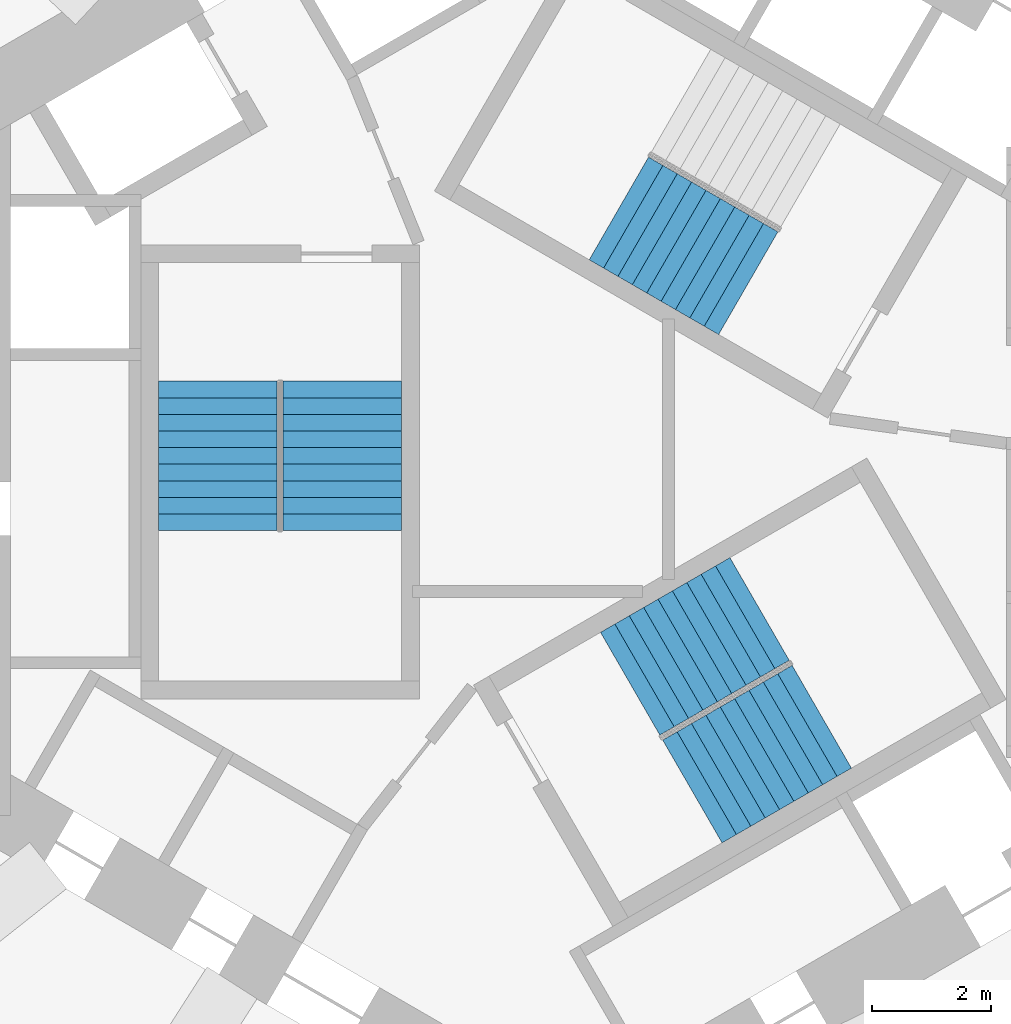
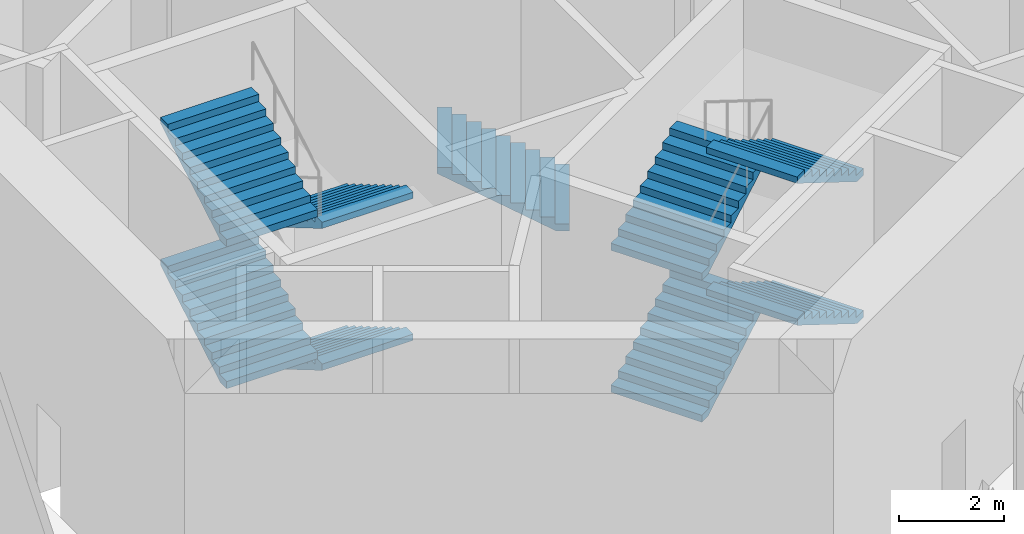
# One storey, part 12 of 17: 9 stair flights, 3 elements without a shape of their own.
"""IFC4 building model written with IfcOpenShell, lengths in metres."""

from ifc_helpers import new_model, si_unit, direction, frame, origin, place, context, subcontext, project, spatial, triangles, source, transform, mapped, material, type_object, element, aggregate, save


model = new_model("IFC4")

# Units and contexts
model_context = context("Model", 3, precision=1e-05, world=origin(), true_north=direction((0.0, 1.0)))
body_context = subcontext(model_context, "Body", "Model", "MODEL_VIEW")
ifc_project = project(units=[si_unit("LENGTHUNIT", "METRE"), si_unit("AREAUNIT", "SQUARE_METRE"), si_unit("VOLUMEUNIT", "CUBIC_METRE"), si_unit("PLANEANGLEUNIT", "RADIAN"), si_unit("MASSUNIT", "GRAM", prefix="KILO")], contexts=[model_context])

# Site, building, storey
site_placement = place(None, origin())
site = spatial("IfcSite", under=ifc_project, at=site_placement, CompositionType="ELEMENT")
building_placement = place(site_placement, origin())
building = spatial("IfcBuilding", under=site, at=building_placement, Name="Vanh Sen Convention Tower", CompositionType="ELEMENT")
storey_placement = place(building_placement, frame((0.0, 0.0, 77.0)))
storey = spatial("IfcBuildingStorey", under=building, at=storey_placement, Name="L17", CompositionType="ELEMENT", Elevation=77.0)

# Stair, stair flight
ifc_material_1 = material(Name="Concrete C50/60", Category="concrete")
stair_type_1 = type_object("IfcStairType", Name="Exit stair ST1 40 risers at 165.0", PredefinedType="HALF_TURN_STAIR", material=ifc_material_1)
stair_1_placement = place(storey_placement, origin())
stair_1 = element("IfcStair", 1, at=stair_1_placement, inside=storey, type_object=stair_type_1, Name="Exit stair ST1 L17", PredefinedType="HALF_TURN_STAIR")
ifc_material_2 = material(Name="Concrete C40/50", Category="concrete")
stair_flight_type = type_object("IfcStairFlightType", Name="Stair flight 2000", PredefinedType="STRAIGHT", material=ifc_material_2)
shared_shape = source(origin(), body_context, "Body", "Tessellation", [
    triangles([(0.24609375, 1.0, 0.0), (0.0, 1.0, 0.0), (0.0, 1.0, 0.1650390625), (0.280029296875, 1.0, 0.1650390625), (0.280029296875, 1.0, 0.330078125), (0.56005859375, 1.0, 0.330078125), (0.56005859375, 1.0, 0.4951171875), (0.840087890625, 1.0, 0.4951171875), (0.840087890625, 1.0, 0.659912109375), (1.1201171875, 1.0, 0.659912109375), (1.1201171875, 1.0, 0.824951171875), (1.39990234375, 1.0, 0.824951171875), (1.39990234375, 1.0, 0.989990234375), (1.679931640625, 1.0, 0.989990234375), (1.679931640625, 1.0, 1.155029296875), (1.9599609375, 1.0, 1.155029296875), (1.9599609375, 1.0, 1.320068359375), (2.239990234375, 1.0, 1.320068359375), (2.239990234375, 1.0, 1.485107421875), (2.52001953125, 1.0, 1.485107421875), (2.52001953125, 1.0, 1.33984375), (0.24609375, -1.0, 0.0), (0.0, -1.0, 0.0), (0.0, -1.0, 0.1650390625), (0.280029296875, -1.0, 0.1650390625), (0.280029296875, -1.0, 0.330078125), (0.56005859375, -1.0, 0.330078125), (0.56005859375, -1.0, 0.4951171875), (0.840087890625, -1.0, 0.4951171875), (0.840087890625, -1.0, 0.659912109375), (1.1201171875, -1.0, 0.659912109375), (1.1201171875, -1.0, 0.824951171875), (1.39990234375, -1.0, 0.824951171875), (1.39990234375, -1.0, 0.989990234375), (1.679931640625, -1.0, 0.989990234375), (1.679931640625, -1.0, 1.155029296875), (1.9599609375, -1.0, 1.155029296875), (1.9599609375, -1.0, 1.320068359375), (2.239990234375, -1.0, 1.320068359375), (2.239990234375, -1.0, 1.485107421875), (2.52001953125, -1.0, 1.485107421875), (2.52001953125, -1.0, 1.33984375), (0.0, 0.0400390625, 0.0), (0.0, 0.0390625, 0.0), (0.0, 0.0380859375, 0.0), (0.0, 0.037109375, 0.0), (0.0, 0.035888671875, 0.0), (0.0, 0.034912109375, 0.0), (0.0, 0.033935546875, 0.0), (0.0, 0.032958984375, 0.0), (0.0, 0.031982421875, 0.0), (0.0, 0.031005859375, 0.0), (0.0, 0.030029296875, 0.0), (0.0, 0.029052734375, 0.0), (0.0, 0.028076171875, 0.0), (0.0, 0.027099609375, 0.0), (0.0, 0.02587890625, 0.0), (0.0, 0.02490234375, 0.0), (0.0, 0.02392578125, 0.0), (0.0, 0.02294921875, 0.0), (0.0, 0.02197265625, 0.0), (0.0, 0.02099609375, 0.0), (0.0, 0.02001953125, 0.0), (0.0, 0.01904296875, 0.0), (0.0, 0.01806640625, 0.0), (0.0, 0.01708984375, 0.0), (0.0, 0.01611328125, 0.0), (0.0, 0.014892578125, 0.0), (0.0, 0.013916015625, 0.0), (0.0, 0.012939453125, 0.0), (0.0, 0.011962890625, 0.0), (0.0, 0.010986328125, 0.0), (0.0, 0.010009765625, 0.0), (0.0, 0.009033203125, 0.0), (0.0, 0.008056640625, 0.0), (0.0, 0.007080078125, 0.0), (0.0, 0.006103515625, 0.0), (0.0, 0.0048828125, 0.0), (0.0, 0.00390625, 0.0), (0.0, 0.0029296875, 0.0), (0.0, 0.001953125, 0.0), (0.0, 0.0009765625, 0.0), (0.0, 0.0, 0.0), (0.0, -0.0009765625, 0.0), (0.0, -0.001953125, 0.0), (0.0, -0.0029296875, 0.0), (0.0, -0.00390625, 0.0), (0.0, -0.0048828125, 0.0), (0.0, -0.006103515625, 0.0), (0.0, -0.007080078125, 0.0), (0.0, -0.008056640625, 0.0), (0.0, -0.009033203125, 0.0), (0.0, -0.010009765625, 0.0), (0.0, -0.010986328125, 0.0), (0.0, -0.011962890625, 0.0), (0.0, -0.012939453125, 0.0), (0.0, -0.013916015625, 0.0), (0.0, -0.014892578125, 0.0), (0.0, -0.01611328125, 0.0), (0.0, -0.01708984375, 0.0), (0.0, -0.01806640625, 0.0), (0.0, -0.01904296875, 0.0), (0.0, -0.02001953125, 0.0), (0.0, -0.02099609375, 0.0), (0.0, -0.02197265625, 0.0), (0.0, -0.02294921875, 0.0), (0.0, -0.02392578125, 0.0), (0.0, -0.02490234375, 0.0), (0.0, -0.02587890625, 0.0), (0.0, -0.027099609375, 0.0), (0.0, -0.028076171875, 0.0), (0.0, -0.029052734375, 0.0), (0.0, -0.030029296875, 0.0), (0.0, -0.031005859375, 0.0), (0.0, -0.031982421875, 0.0), (0.0, -0.032958984375, 0.0), (0.0, -0.033935546875, 0.0), (0.0, -0.034912109375, 0.0), (0.0, -0.035888671875, 0.0), (0.0, -0.037109375, 0.0), (0.0, -0.0380859375, 0.0), (0.0, -0.0390625, 0.0), (0.0, -0.0400390625, 0.0), (0.0, 0.0400390625, 0.1650390625), (0.0, 0.0390625, 0.1650390625), (0.0, 0.0380859375, 0.1650390625), (0.0, 0.037109375, 0.1650390625), (0.0, 0.035888671875, 0.1650390625), (0.0, 0.034912109375, 0.1650390625), (0.0, 0.033935546875, 0.1650390625), (0.0, 0.032958984375, 0.1650390625), (0.0, 0.031982421875, 0.1650390625), (0.0, 0.031005859375, 0.1650390625), (0.0, 0.030029296875, 0.1650390625), (0.0, 0.029052734375, 0.1650390625), (0.0, 0.028076171875, 0.1650390625), (0.0, 0.027099609375, 0.1650390625), (0.0, 0.02587890625, 0.1650390625), (0.0, 0.02490234375, 0.1650390625), (0.0, 0.02392578125, 0.1650390625), (0.0, 0.02294921875, 0.1650390625), (0.0, 0.02197265625, 0.1650390625), (0.0, 0.02099609375, 0.1650390625), (0.0, 0.02001953125, 0.1650390625), (0.0, 0.01904296875, 0.1650390625), (0.0, 0.01806640625, 0.1650390625), (0.0, 0.01708984375, 0.1650390625), (0.0, 0.01611328125, 0.1650390625), (0.0, 0.014892578125, 0.1650390625), (0.0, 0.013916015625, 0.1650390625), (0.0, 0.012939453125, 0.1650390625), (0.0, 0.011962890625, 0.1650390625), (0.0, 0.010986328125, 0.1650390625), (0.0, 0.010009765625, 0.1650390625), (0.0, 0.009033203125, 0.1650390625), (0.0, 0.008056640625, 0.1650390625), (0.0, 0.007080078125, 0.1650390625), (0.0, 0.006103515625, 0.1650390625), (0.0, 0.0048828125, 0.1650390625), (0.0, 0.00390625, 0.1650390625), (0.0, 0.0029296875, 0.1650390625), (0.0, 0.001953125, 0.1650390625), (0.0, 0.0009765625, 0.1650390625), (0.0, 0.0, 0.1650390625), (0.0, -0.0009765625, 0.1650390625), (0.0, -0.001953125, 0.1650390625), (0.0, -0.0029296875, 0.1650390625), (0.0, -0.00390625, 0.1650390625), (0.0, -0.0048828125, 0.1650390625), (0.0, -0.006103515625, 0.1650390625), (0.0, -0.007080078125, 0.1650390625), (0.0, -0.008056640625, 0.1650390625), (0.0, -0.009033203125, 0.1650390625), (0.0, -0.010009765625, 0.1650390625), (0.0, -0.010986328125, 0.1650390625), (0.0, -0.011962890625, 0.1650390625), (0.0, -0.012939453125, 0.1650390625), (0.0, -0.013916015625, 0.1650390625), (0.0, -0.014892578125, 0.1650390625), (0.0, -0.01611328125, 0.1650390625), (0.0, -0.01708984375, 0.1650390625), (0.0, -0.01806640625, 0.1650390625), (0.0, -0.01904296875, 0.1650390625), (0.0, -0.02001953125, 0.1650390625), (0.0, -0.02099609375, 0.1650390625), (0.0, -0.02197265625, 0.1650390625), (0.0, -0.02294921875, 0.1650390625), (0.0, -0.02392578125, 0.1650390625), (0.0, -0.02490234375, 0.1650390625), (0.0, -0.02587890625, 0.1650390625), (0.0, -0.027099609375, 0.1650390625), (0.0, -0.028076171875, 0.1650390625), (0.0, -0.029052734375, 0.1650390625), (0.0, -0.030029296875, 0.1650390625), (0.0, -0.031005859375, 0.1650390625), (0.0, -0.031982421875, 0.1650390625), (0.0, -0.032958984375, 0.1650390625), (0.0, -0.033935546875, 0.1650390625), (0.0, -0.034912109375, 0.1650390625), (0.0, -0.035888671875, 0.1650390625), (0.0, -0.037109375, 0.1650390625), (0.0, -0.0380859375, 0.1650390625), (0.0, -0.0390625, 0.1650390625), (0.0, -0.0400390625, 0.1650390625), (0.280029296875, 0.0, 0.1650390625), (0.280029296875, 0.0, 0.330078125), (0.56005859375, 0.0, 0.330078125), (0.56005859375, 0.0, 0.4951171875), (0.840087890625, 0.0, 0.4951171875), (0.840087890625, 0.0, 0.659912109375), (1.1201171875, 0.0, 0.659912109375), (1.1201171875, 0.0, 0.824951171875), (1.39990234375, 0.0, 0.824951171875), (1.39990234375, 0.0, 0.989990234375), (1.679931640625, 0.0, 0.989990234375), (1.679931640625, 0.0, 1.155029296875), (1.9599609375, 0.0, 1.155029296875), (1.9599609375, 0.0, 1.320068359375), (2.239990234375, 0.0, 1.320068359375), (2.239990234375, 0.0, 1.485107421875), (2.52001953125, 0.0400390625, 1.485107421875), (2.52001953125, 0.0390625, 1.485107421875), (2.52001953125, 0.0380859375, 1.485107421875), (2.52001953125, 0.037109375, 1.485107421875), (2.52001953125, 0.035888671875, 1.485107421875), (2.52001953125, 0.034912109375, 1.485107421875), (2.52001953125, 0.033935546875, 1.485107421875), (2.52001953125, 0.032958984375, 1.485107421875), (2.52001953125, 0.031982421875, 1.485107421875), (2.52001953125, 0.031005859375, 1.485107421875), (2.52001953125, 0.030029296875, 1.485107421875), (2.52001953125, 0.029052734375, 1.485107421875), (2.52001953125, 0.028076171875, 1.485107421875), (2.52001953125, 0.027099609375, 1.485107421875), (2.52001953125, 0.02587890625, 1.485107421875), (2.52001953125, 0.02490234375, 1.485107421875), (2.52001953125, 0.02392578125, 1.485107421875), (2.52001953125, 0.02294921875, 1.485107421875), (2.52001953125, 0.02197265625, 1.485107421875), (2.52001953125, 0.02099609375, 1.485107421875), (2.52001953125, 0.02001953125, 1.485107421875), (2.52001953125, 0.01904296875, 1.485107421875), (2.52001953125, 0.01806640625, 1.485107421875), (2.52001953125, 0.01708984375, 1.485107421875), (2.52001953125, 0.01611328125, 1.485107421875), (2.52001953125, 0.014892578125, 1.485107421875), (2.52001953125, 0.013916015625, 1.485107421875), (2.52001953125, 0.012939453125, 1.485107421875), (2.52001953125, 0.011962890625, 1.485107421875), (2.52001953125, 0.010986328125, 1.485107421875), (2.52001953125, 0.010009765625, 1.485107421875), (2.52001953125, 0.009033203125, 1.485107421875), (2.52001953125, 0.008056640625, 1.485107421875), (2.52001953125, 0.007080078125, 1.485107421875), (2.52001953125, 0.006103515625, 1.485107421875), (2.52001953125, 0.0048828125, 1.485107421875), (2.52001953125, 0.00390625, 1.485107421875), (2.52001953125, 0.0029296875, 1.485107421875), (2.52001953125, 0.001953125, 1.485107421875), (2.52001953125, 0.0009765625, 1.485107421875), (2.52001953125, 0.0, 1.485107421875), (2.52001953125, -0.0009765625, 1.485107421875), (2.52001953125, -0.001953125, 1.485107421875), (2.52001953125, -0.0029296875, 1.485107421875), (2.52001953125, -0.00390625, 1.485107421875), (2.52001953125, -0.0048828125, 1.485107421875), (2.52001953125, -0.006103515625, 1.485107421875), (2.52001953125, -0.007080078125, 1.485107421875), (2.52001953125, -0.008056640625, 1.485107421875), (2.52001953125, -0.009033203125, 1.485107421875), (2.52001953125, -0.010009765625, 1.485107421875), (2.52001953125, -0.010986328125, 1.485107421875), (2.52001953125, -0.011962890625, 1.485107421875), (2.52001953125, -0.012939453125, 1.485107421875), (2.52001953125, -0.013916015625, 1.485107421875), (2.52001953125, -0.014892578125, 1.485107421875), (2.52001953125, -0.01611328125, 1.485107421875), (2.52001953125, -0.01708984375, 1.485107421875), (2.52001953125, -0.01806640625, 1.485107421875), (2.52001953125, -0.01904296875, 1.485107421875), (2.52001953125, -0.02001953125, 1.485107421875), (2.52001953125, -0.02099609375, 1.485107421875), (2.52001953125, -0.02197265625, 1.485107421875), (2.52001953125, -0.02294921875, 1.485107421875), (2.52001953125, -0.02392578125, 1.485107421875), (2.52001953125, -0.02490234375, 1.485107421875), (2.52001953125, -0.02587890625, 1.485107421875), (2.52001953125, -0.027099609375, 1.485107421875), (2.52001953125, -0.028076171875, 1.485107421875), (2.52001953125, -0.029052734375, 1.485107421875), (2.52001953125, -0.030029296875, 1.485107421875), (2.52001953125, -0.031005859375, 1.485107421875), (2.52001953125, -0.031982421875, 1.485107421875), (2.52001953125, -0.032958984375, 1.485107421875), (2.52001953125, -0.033935546875, 1.485107421875), (2.52001953125, -0.034912109375, 1.485107421875), (2.52001953125, -0.035888671875, 1.485107421875), (2.52001953125, -0.037109375, 1.485107421875), (2.52001953125, -0.0380859375, 1.485107421875), (2.52001953125, -0.0390625, 1.485107421875), (2.52001953125, -0.0400390625, 1.485107421875), (2.52001953125, 0.0400390625, 1.33984375), (2.52001953125, 0.0390625, 1.33984375), (2.52001953125, 0.0380859375, 1.33984375), (2.52001953125, 0.037109375, 1.33984375), (2.52001953125, 0.035888671875, 1.33984375), (2.52001953125, 0.034912109375, 1.33984375), (2.52001953125, 0.033935546875, 1.33984375), (2.52001953125, 0.032958984375, 1.33984375), (2.52001953125, 0.031982421875, 1.33984375), (2.52001953125, 0.031005859375, 1.33984375), (2.52001953125, 0.030029296875, 1.33984375), (2.52001953125, 0.029052734375, 1.33984375), (2.52001953125, 0.028076171875, 1.33984375), (2.52001953125, 0.027099609375, 1.33984375), (2.52001953125, 0.02587890625, 1.33984375), (2.52001953125, 0.02490234375, 1.33984375), (2.52001953125, 0.02392578125, 1.33984375), (2.52001953125, 0.02294921875, 1.33984375), (2.52001953125, 0.02197265625, 1.33984375), (2.52001953125, 0.02099609375, 1.33984375), (2.52001953125, 0.02001953125, 1.33984375), (2.52001953125, 0.01904296875, 1.33984375), (2.52001953125, 0.01806640625, 1.33984375), (2.52001953125, 0.01708984375, 1.33984375), (2.52001953125, 0.01611328125, 1.33984375), (2.52001953125, 0.014892578125, 1.33984375), (2.52001953125, 0.013916015625, 1.33984375), (2.52001953125, 0.012939453125, 1.33984375), (2.52001953125, 0.011962890625, 1.33984375), (2.52001953125, 0.010986328125, 1.33984375), (2.52001953125, 0.010009765625, 1.33984375), (2.52001953125, 0.009033203125, 1.33984375), (2.52001953125, 0.008056640625, 1.33984375), (2.52001953125, 0.007080078125, 1.33984375), (2.52001953125, 0.006103515625, 1.33984375), (2.52001953125, 0.0048828125, 1.33984375), (2.52001953125, 0.00390625, 1.33984375), (2.52001953125, 0.0029296875, 1.33984375), (2.52001953125, 0.001953125, 1.33984375), (2.52001953125, 0.0009765625, 1.33984375), (2.52001953125, 0.0, 1.33984375), (2.52001953125, -0.0009765625, 1.33984375), (2.52001953125, -0.001953125, 1.33984375), (2.52001953125, -0.0029296875, 1.33984375), (2.52001953125, -0.00390625, 1.33984375), (2.52001953125, -0.0048828125, 1.33984375), (2.52001953125, -0.006103515625, 1.33984375), (2.52001953125, -0.007080078125, 1.33984375), (2.52001953125, -0.008056640625, 1.33984375), (2.52001953125, -0.009033203125, 1.33984375), (2.52001953125, -0.010009765625, 1.33984375), (2.52001953125, -0.010986328125, 1.33984375), (2.52001953125, -0.011962890625, 1.33984375), (2.52001953125, -0.012939453125, 1.33984375), (2.52001953125, -0.013916015625, 1.33984375), (2.52001953125, -0.014892578125, 1.33984375), (2.52001953125, -0.01611328125, 1.33984375), (2.52001953125, -0.01708984375, 1.33984375), (2.52001953125, -0.01806640625, 1.33984375), (2.52001953125, -0.01904296875, 1.33984375), (2.52001953125, -0.02001953125, 1.33984375), (2.52001953125, -0.02099609375, 1.33984375), (2.52001953125, -0.02197265625, 1.33984375), (2.52001953125, -0.02294921875, 1.33984375), (2.52001953125, -0.02392578125, 1.33984375), (2.52001953125, -0.02490234375, 1.33984375), (2.52001953125, -0.02587890625, 1.33984375), (2.52001953125, -0.027099609375, 1.33984375), (2.52001953125, -0.028076171875, 1.33984375), (2.52001953125, -0.029052734375, 1.33984375), (2.52001953125, -0.030029296875, 1.33984375), (2.52001953125, -0.031005859375, 1.33984375), (2.52001953125, -0.031982421875, 1.33984375), (2.52001953125, -0.032958984375, 1.33984375), (2.52001953125, -0.033935546875, 1.33984375), (2.52001953125, -0.034912109375, 1.33984375), (2.52001953125, -0.035888671875, 1.33984375), (2.52001953125, -0.037109375, 1.33984375), (2.52001953125, -0.0380859375, 1.33984375), (2.52001953125, -0.0390625, 1.33984375), (2.52001953125, -0.0400390625, 1.33984375), (0.24609375, 0.0, 0.0)], [[1, 2, 3], [1, 3, 4], [4, 5, 6], [1, 4, 6], [6, 7, 8], [1, 6, 8], [8, 9, 10], [1, 8, 10], [10, 11, 12], [1, 10, 12], [12, 13, 14], [1, 12, 14], [14, 15, 16], [1, 14, 16], [16, 17, 18], [1, 16, 18], [18, 19, 20], [1, 18, 20], [20, 21, 1], [22, 24, 23], [22, 25, 24], [25, 27, 26], [22, 27, 25], [27, 29, 28], [22, 29, 27], [29, 31, 30], [22, 31, 29], [31, 33, 32], [22, 33, 31], [33, 35, 34], [22, 35, 33], [35, 37, 36], [22, 37, 35], [37, 39, 38], [22, 39, 37], [39, 41, 40], [22, 41, 39], [41, 22, 42], [2, 124, 3], [2, 43, 124], [43, 125, 124], [43, 44, 125], [44, 126, 125], [44, 45, 126], [45, 127, 126], [45, 46, 127], [46, 128, 127], [46, 47, 128], [47, 129, 128], [47, 48, 129], [48, 130, 129], [48, 49, 130], [49, 131, 130], [49, 50, 131], [50, 132, 131], [50, 51, 132], [51, 133, 132], [51, 52, 133], [52, 134, 133], [52, 53, 134], [53, 135, 134], [53, 54, 135], [54, 136, 135], [54, 55, 136], [55, 137, 136], [55, 56, 137], [56, 138, 137], [56, 57, 138], [57, 139, 138], [57, 58, 139], [58, 140, 139], [58, 59, 140], [59, 141, 140], [59, 60, 141], [60, 142, 141], [60, 61, 142], [61, 143, 142], [61, 62, 143], [62, 144, 143], [62, 63, 144], [63, 145, 144], [63, 64, 145], [64, 146, 145], [64, 65, 146], [65, 147, 146], [65, 66, 147], [66, 148, 147], [66, 67, 148], [67, 149, 148], [67, 68, 149], [68, 150, 149], [68, 69, 150], [69, 151, 150], [69, 70, 151], [70, 152, 151], [70, 71, 152], [71, 153, 152], [71, 72, 153], [72, 154, 153], [72, 73, 154], [73, 155, 154], [73, 74, 155], [74, 156, 155], [74, 75, 156], [75, 157, 156], [75, 76, 157], [76, 158, 157], [76, 77, 158], [77, 159, 158], [77, 78, 159], [78, 160, 159], [78, 79, 160], [79, 161, 160], [79, 80, 161], [80, 162, 161], [80, 81, 162], [81, 163, 162], [81, 82, 163], [82, 164, 163], [82, 83, 164], [83, 84, 164], [164, 84, 165], [84, 85, 165], [165, 85, 166], [85, 86, 166], [166, 86, 167], [86, 87, 167], [167, 87, 168], [87, 88, 168], [168, 88, 169], [88, 89, 169], [169, 89, 170], [89, 90, 170], [170, 90, 171], [90, 91, 171], [171, 91, 172], [91, 92, 172], [172, 92, 173], [92, 93, 173], [173, 93, 174], [93, 94, 174], [174, 94, 175], [94, 95, 175], [175, 95, 176], [95, 96, 176], [176, 96, 177], [96, 97, 177], [177, 97, 178], [97, 98, 178], [178, 98, 179], [98, 99, 179], [179, 99, 180], [99, 100, 180], [180, 100, 181], [100, 101, 181], [181, 101, 182], [101, 102, 182], [182, 102, 183], [102, 103, 183], [183, 103, 184], [103, 104, 184], [184, 104, 185], [104, 105, 185], [185, 105, 186], [105, 106, 186], [186, 106, 187], [106, 107, 187], [187, 107, 188], [107, 108, 188], [188, 108, 189], [108, 109, 189], [189, 109, 190], [109, 110, 190], [190, 110, 191], [110, 111, 191], [191, 111, 192], [111, 112, 192], [192, 112, 193], [112, 113, 193], [193, 113, 194], [113, 114, 194], [194, 114, 195], [114, 115, 195], [195, 115, 196], [115, 116, 196], [196, 116, 197], [116, 117, 197], [197, 117, 198], [117, 118, 198], [198, 118, 199], [118, 119, 199], [199, 119, 200], [119, 120, 200], [200, 120, 201], [120, 121, 201], [201, 121, 202], [121, 122, 202], [202, 122, 203], [122, 123, 203], [203, 123, 204], [123, 23, 204], [204, 23, 24], [4, 3, 124], [4, 124, 125], [4, 125, 126], [4, 126, 127], [4, 127, 128], [4, 128, 129], [4, 129, 130], [4, 130, 131], [4, 131, 132], [4, 132, 133], [4, 133, 134], [4, 134, 135], [4, 135, 136], [4, 136, 137], [4, 137, 138], [4, 138, 139], [4, 139, 140], [4, 140, 141], [4, 141, 142], [4, 142, 143], [4, 143, 144], [4, 144, 145], [4, 145, 146], [4, 146, 147], [4, 147, 148], [4, 148, 149], [4, 149, 150], [4, 150, 151], [4, 151, 152], [4, 152, 153], [4, 153, 154], [4, 154, 155], [4, 155, 156], [4, 156, 157], [4, 157, 158], [4, 158, 159], [4, 159, 160], [4, 160, 161], [4, 161, 162], [4, 162, 163], [4, 163, 164], [25, 164, 165], [25, 165, 166], [25, 166, 167], [25, 167, 168], [25, 168, 169], [25, 169, 170], [25, 170, 171], [25, 171, 172], [25, 172, 173], [25, 173, 174], [25, 174, 175], [25, 175, 176], [25, 176, 177], [25, 177, 178], [25, 178, 179], [25, 179, 180], [25, 180, 181], [25, 181, 182], [25, 182, 183], [25, 183, 184], [25, 184, 185], [25, 185, 186], [25, 186, 187], [25, 187, 188], [25, 188, 189], [25, 189, 190], [25, 190, 191], [25, 191, 192], [25, 192, 193], [25, 193, 194], [25, 194, 195], [25, 195, 196], [25, 196, 197], [25, 197, 198], [25, 198, 199], [25, 199, 200], [25, 200, 201], [25, 201, 202], [25, 202, 203], [25, 203, 204], [25, 204, 24], [4, 164, 205], [25, 205, 164], [4, 206, 5], [4, 205, 206], [205, 25, 206], [206, 25, 26], [5, 207, 6], [5, 206, 207], [206, 26, 207], [207, 26, 27], [6, 208, 7], [6, 207, 208], [207, 27, 208], [208, 27, 28], [7, 209, 8], [7, 208, 209], [208, 28, 209], [209, 28, 29], [8, 210, 9], [8, 209, 210], [209, 29, 210], [210, 29, 30], [9, 211, 10], [9, 210, 211], [210, 30, 211], [211, 30, 31], [10, 212, 11], [10, 211, 212], [211, 31, 212], [212, 31, 32], [11, 213, 12], [11, 212, 213], [212, 32, 213], [213, 32, 33], [12, 214, 13], [12, 213, 214], [213, 33, 214], [214, 33, 34], [13, 215, 14], [13, 214, 215], [214, 34, 215], [215, 34, 35], [14, 216, 15], [14, 215, 216], [215, 35, 216], [216, 35, 36], [15, 217, 16], [15, 216, 217], [216, 36, 217], [217, 36, 37], [16, 218, 17], [16, 217, 218], [217, 37, 218], [218, 37, 38], [17, 219, 18], [17, 218, 219], [218, 38, 219], [219, 38, 39], [18, 220, 19], [18, 219, 220], [219, 39, 220], [220, 39, 40], [19, 221, 20], [19, 222, 221], [19, 223, 222], [19, 224, 223], [19, 225, 224], [19, 226, 225], [19, 227, 226], [19, 228, 227], [19, 229, 228], [19, 230, 229], [19, 231, 230], [19, 232, 231], [19, 233, 232], [19, 234, 233], [19, 235, 234], [19, 236, 235], [19, 237, 236], [19, 238, 237], [19, 239, 238], [19, 240, 239], [19, 241, 240], [19, 242, 241], [19, 243, 242], [19, 244, 243], [19, 245, 244], [19, 246, 245], [19, 247, 246], [19, 248, 247], [19, 249, 248], [19, 250, 249], [19, 251, 250], [19, 252, 251], [19, 253, 252], [19, 254, 253], [19, 255, 254], [19, 256, 255], [19, 257, 256], [19, 258, 257], [19, 259, 258], [19, 260, 259], [19, 261, 260], [40, 262, 261], [40, 263, 262], [40, 264, 263], [40, 265, 264], [40, 266, 265], [40, 267, 266], [40, 268, 267], [40, 269, 268], [40, 270, 269], [40, 271, 270], [40, 272, 271], [40, 273, 272], [40, 274, 273], [40, 275, 274], [40, 276, 275], [40, 277, 276], [40, 278, 277], [40, 279, 278], [40, 280, 279], [40, 281, 280], [40, 282, 281], [40, 283, 282], [40, 284, 283], [40, 285, 284], [40, 286, 285], [40, 287, 286], [40, 288, 287], [40, 289, 288], [40, 290, 289], [40, 291, 290], [40, 292, 291], [40, 293, 292], [40, 294, 293], [40, 295, 294], [40, 296, 295], [40, 297, 296], [40, 298, 297], [40, 299, 298], [40, 300, 299], [40, 301, 300], [40, 41, 301], [19, 220, 261], [40, 261, 220], [20, 302, 21], [20, 221, 302], [221, 303, 302], [221, 222, 303], [222, 304, 303], [222, 223, 304], [223, 305, 304], [223, 224, 305], [224, 306, 305], [224, 225, 306], [225, 307, 306], [225, 226, 307], [226, 308, 307], [226, 227, 308], [227, 309, 308], [227, 228, 309], [228, 310, 309], [228, 229, 310], [229, 311, 310], [229, 230, 311], [230, 312, 311], [230, 231, 312], [231, 313, 312], [231, 232, 313], [232, 314, 313], [232, 233, 314], [233, 315, 314], [233, 234, 315], [234, 316, 315], [234, 235, 316], [235, 317, 316], [235, 236, 317], [236, 318, 317], [236, 237, 318], [237, 319, 318], [237, 238, 319], [238, 320, 319], [238, 239, 320], [239, 321, 320], [239, 240, 321], [240, 322, 321], [240, 241, 322], [241, 323, 322], [241, 242, 323], [242, 324, 323], [242, 243, 324], [243, 325, 324], [243, 244, 325], [244, 326, 325], [244, 245, 326], [245, 327, 326], [245, 246, 327], [246, 328, 327], [246, 247, 328], [247, 329, 328], [247, 248, 329], [248, 330, 329], [248, 249, 330], [249, 331, 330], [249, 250, 331], [250, 332, 331], [250, 251, 332], [251, 333, 332], [251, 252, 333], [252, 334, 333], [252, 253, 334], [253, 335, 334], [253, 254, 335], [254, 336, 335], [254, 255, 336], [255, 337, 336], [255, 256, 337], [256, 338, 337], [256, 257, 338], [257, 339, 338], [257, 258, 339], [258, 340, 339], [258, 259, 340], [259, 341, 340], [259, 260, 341], [260, 342, 341], [260, 261, 342], [261, 262, 342], [342, 262, 343], [262, 263, 343], [343, 263, 344], [263, 264, 344], [344, 264, 345], [264, 265, 345], [345, 265, 346], [265, 266, 346], [346, 266, 347], [266, 267, 347], [347, 267, 348], [267, 268, 348], [348, 268, 349], [268, 269, 349], [349, 269, 350], [269, 270, 350], [350, 270, 351], [270, 271, 351], [351, 271, 352], [271, 272, 352], [352, 272, 353], [272, 273, 353], [353, 273, 354], [273, 274, 354], [354, 274, 355], [274, 275, 355], [355, 275, 356], [275, 276, 356], [356, 276, 357], [276, 277, 357], [357, 277, 358], [277, 278, 358], [358, 278, 359], [278, 279, 359], [359, 279, 360], [279, 280, 360], [360, 280, 361], [280, 281, 361], [361, 281, 362], [281, 282, 362], [362, 282, 363], [282, 283, 363], [363, 283, 364], [283, 284, 364], [364, 284, 365], [284, 285, 365], [365, 285, 366], [285, 286, 366], [366, 286, 367], [286, 287, 367], [367, 287, 368], [287, 288, 368], [368, 288, 369], [288, 289, 369], [369, 289, 370], [289, 290, 370], [370, 290, 371], [290, 291, 371], [371, 291, 372], [291, 292, 372], [372, 292, 373], [292, 293, 373], [373, 293, 374], [293, 294, 374], [374, 294, 375], [294, 295, 375], [375, 295, 376], [295, 296, 376], [376, 296, 377], [296, 297, 377], [377, 297, 378], [297, 298, 378], [378, 298, 379], [298, 299, 379], [379, 299, 380], [299, 300, 380], [380, 300, 381], [300, 301, 381], [381, 301, 382], [301, 41, 382], [382, 41, 42], [1, 21, 302], [1, 302, 303], [1, 303, 304], [1, 304, 305], [1, 305, 306], [1, 306, 307], [1, 307, 308], [1, 308, 309], [1, 309, 310], [1, 310, 311], [1, 311, 312], [1, 312, 313], [1, 313, 314], [1, 314, 315], [1, 315, 316], [1, 316, 317], [1, 317, 318], [1, 318, 319], [1, 319, 320], [1, 320, 321], [1, 321, 322], [1, 322, 323], [1, 323, 324], [1, 324, 325], [1, 325, 326], [1, 326, 327], [1, 327, 328], [1, 328, 329], [1, 329, 330], [1, 330, 331], [1, 331, 332], [1, 332, 333], [1, 333, 334], [1, 334, 335], [1, 335, 336], [1, 336, 337], [1, 337, 338], [1, 338, 339], [1, 339, 340], [1, 340, 341], [1, 341, 342], [22, 342, 343], [22, 343, 344], [22, 344, 345], [22, 345, 346], [22, 346, 347], [22, 347, 348], [22, 348, 349], [22, 349, 350], [22, 350, 351], [22, 351, 352], [22, 352, 353], [22, 353, 354], [22, 354, 355], [22, 355, 356], [22, 356, 357], [22, 357, 358], [22, 358, 359], [22, 359, 360], [22, 360, 361], [22, 361, 362], [22, 362, 363], [22, 363, 364], [22, 364, 365], [22, 365, 366], [22, 366, 367], [22, 367, 368], [22, 368, 369], [22, 369, 370], [22, 370, 371], [22, 371, 372], [22, 372, 373], [22, 373, 374], [22, 374, 375], [22, 375, 376], [22, 376, 377], [22, 377, 378], [22, 378, 379], [22, 379, 380], [22, 380, 381], [22, 381, 382], [22, 382, 42], [1, 342, 383], [22, 383, 342], [1, 43, 2], [1, 44, 43], [1, 45, 44], [1, 46, 45], [1, 47, 46], [1, 48, 47], [1, 49, 48], [1, 50, 49], [1, 51, 50], [1, 52, 51], [1, 53, 52], [1, 54, 53], [1, 55, 54], [1, 56, 55], [1, 57, 56], [1, 58, 57], [1, 59, 58], [1, 60, 59], [1, 61, 60], [1, 62, 61], [1, 63, 62], [1, 64, 63], [1, 65, 64], [1, 66, 65], [1, 67, 66], [1, 68, 67], [1, 69, 68], [1, 70, 69], [1, 71, 70], [1, 72, 71], [1, 73, 72], [1, 74, 73], [1, 75, 74], [1, 76, 75], [1, 77, 76], [1, 78, 77], [1, 79, 78], [1, 80, 79], [1, 81, 80], [1, 82, 81], [1, 83, 82], [22, 84, 83], [22, 85, 84], [22, 86, 85], [22, 87, 86], [22, 88, 87], [22, 89, 88], [22, 90, 89], [22, 91, 90], [22, 92, 91], [22, 93, 92], [22, 94, 93], [22, 95, 94], [22, 96, 95], [22, 97, 96], [22, 98, 97], [22, 99, 98], [22, 100, 99], [22, 101, 100], [22, 102, 101], [22, 103, 102], [22, 104, 103], [22, 105, 104], [22, 106, 105], [22, 107, 106], [22, 108, 107], [22, 109, 108], [22, 110, 109], [22, 111, 110], [22, 112, 111], [22, 113, 112], [22, 114, 113], [22, 115, 114], [22, 116, 115], [22, 117, 116], [22, 118, 117], [22, 119, 118], [22, 120, 119], [22, 121, 120], [22, 122, 121], [22, 123, 122], [22, 23, 123], [1, 383, 83], [22, 83, 383]], closed=True),
])
stair_flight_1_placement = place(storey_placement, frame((2.94580078125, 2.802490234375, 0.0), z_axis=(0.0, 0.0, 1.0), x_axis=(-0.866025403784, 0.5, 0.0)))
stair_flight_1 = element("IfcStairFlight", 2, at=stair_flight_1_placement, type_object=stair_flight_type, Name="ST1 flight 1", NumberOfRisers=10, NumberOfTreads=9, PredefinedType="STRAIGHT", RiserHeight=0.165, TreadLength=0.28, context=body_context, shape_type="MappedRepresentation", body=[
    mapped(shared_shape, transform((0.0, 0.0, 0.0))),
])
aggregate(stair_1, [stair_flight_1])

# Stair, stair flights
stair_type_2 = type_object("IfcStairType", Name="Exit stair ST2 40 risers at 165.0", PredefinedType="HALF_TURN_STAIR", material=ifc_material_1)
stair_2_placement = place(storey_placement, origin())
stair_2 = element("IfcStair", 3, at=stair_2_placement, inside=storey, type_object=stair_type_2, Name="Exit stair ST2 L17", PredefinedType="HALF_TURN_STAIR")
stair_flight_2_placement = place(storey_placement, frame((-3.89990234375, 1.14990234375, 0.0), z_axis=(0.0, 0.0, 1.0), x_axis=(0.0, -1.0, 0.0)))
stair_flight_2 = element("IfcStairFlight", 4, at=stair_flight_2_placement, type_object=stair_flight_type, Name="ST2 flight 1", NumberOfRisers=10, NumberOfTreads=9, PredefinedType="STRAIGHT", RiserHeight=0.165, TreadLength=0.28, context=body_context, shape_type="MappedRepresentation", body=[
    mapped(shared_shape, transform((0.0, 0.0, 0.0))),
])
stair_flight_3_placement = place(storey_placement, frame((-6.0, -1.3701171875, 1.64990234375), z_axis=(0.0, 0.0, 1.0), x_axis=(0.0, 1.0, 0.0)))
stair_flight_3 = element("IfcStairFlight", 5, at=stair_flight_3_placement, type_object=stair_flight_type, Name="ST2 flight 2", NumberOfRisers=10, NumberOfTreads=9, PredefinedType="STRAIGHT", RiserHeight=0.165, TreadLength=0.28, context=body_context, shape_type="MappedRepresentation", body=[
    mapped(shared_shape, transform((0.0, 0.0, 0.0))),
])
stair_flight_4_placement = place(storey_placement, frame((-3.89990234375, 1.14990234375, 3.300048828125), z_axis=(0.0, 0.0, 1.0), x_axis=(0.0, -1.0, 0.0)))
stair_flight_4 = element("IfcStairFlight", 6, at=stair_flight_4_placement, type_object=stair_flight_type, Name="ST2 flight 3", NumberOfRisers=10, NumberOfTreads=9, PredefinedType="STRAIGHT", RiserHeight=0.165, TreadLength=0.28, context=body_context, shape_type="MappedRepresentation", body=[
    mapped(shared_shape, transform((0.0, 0.0, 0.0))),
])
stair_flight_5_placement = place(storey_placement, frame((-6.0, -1.3701171875, 4.949951171875), z_axis=(0.0, 0.0, 1.0), x_axis=(0.0, 1.0, 0.0)))
stair_flight_5 = element("IfcStairFlight", 7, at=stair_flight_5_placement, type_object=stair_flight_type, Name="ST2 flight 4", NumberOfRisers=10, NumberOfTreads=9, PredefinedType="STRAIGHT", RiserHeight=0.165, TreadLength=0.28, context=body_context, shape_type="MappedRepresentation", body=[
    mapped(shared_shape, transform((0.0, 0.0, 0.0))),
])
aggregate(stair_2, [stair_flight_2, stair_flight_3, stair_flight_4, stair_flight_5])

stair_type_3 = type_object("IfcStairType", Name="Exit stair ST3 40 risers at 165.0", PredefinedType="HALF_TURN_STAIR", material=ifc_material_1)
stair_3_placement = place(storey_placement, origin())
stair_3 = element("IfcStair", 8, at=stair_3_placement, inside=storey, type_object=stair_type_3, Name="Exit stair ST3 L17", PredefinedType="HALF_TURN_STAIR")
stair_flight_6_placement = place(storey_placement, frame((0.9541015625, -3.952392578125, 0.0), z_axis=(0.0, 0.0, 1.0), x_axis=(0.866025403784, 0.5, 0.0)))
stair_flight_6 = element("IfcStairFlight", 9, at=stair_flight_6_placement, type_object=stair_flight_type, Name="ST3 flight 1", NumberOfRisers=10, NumberOfTreads=9, PredefinedType="STRAIGHT", RiserHeight=0.165, TreadLength=0.28, context=body_context, shape_type="MappedRepresentation", body=[
    mapped(shared_shape, transform((0.0, 0.0, 0.0))),
])
stair_flight_7_placement = place(storey_placement, frame((4.1865234375, -4.51123046875, 1.64990234375), z_axis=(0.0, 0.0, 1.0), x_axis=(-0.866025403784, -0.5, 0.0)))
stair_flight_7 = element("IfcStairFlight", 10, at=stair_flight_7_placement, type_object=stair_flight_type, Name="ST3 flight 2", NumberOfRisers=10, NumberOfTreads=9, PredefinedType="STRAIGHT", RiserHeight=0.165, TreadLength=0.28, context=body_context, shape_type="MappedRepresentation", body=[
    mapped(shared_shape, transform((0.0, 0.0, 0.0))),
])
stair_flight_8_placement = place(storey_placement, frame((0.9541015625, -3.952392578125, 3.300048828125), z_axis=(0.0, 0.0, 1.0), x_axis=(0.866025403784, 0.5, 0.0)))
stair_flight_8 = element("IfcStairFlight", 11, at=stair_flight_8_placement, type_object=stair_flight_type, Name="ST3 flight 3", NumberOfRisers=10, NumberOfTreads=9, PredefinedType="STRAIGHT", RiserHeight=0.165, TreadLength=0.28, context=body_context, shape_type="MappedRepresentation", body=[
    mapped(shared_shape, transform((0.0, 0.0, 0.0))),
])
stair_flight_9_placement = place(storey_placement, frame((4.1865234375, -4.51123046875, 4.949951171875), z_axis=(0.0, 0.0, 1.0), x_axis=(-0.866025403784, -0.5, 0.0)))
stair_flight_9 = element("IfcStairFlight", 12, at=stair_flight_9_placement, type_object=stair_flight_type, Name="ST3 flight 4", NumberOfRisers=10, NumberOfTreads=9, PredefinedType="STRAIGHT", RiserHeight=0.165, TreadLength=0.28, context=body_context, shape_type="MappedRepresentation", body=[
    mapped(shared_shape, transform((0.0, 0.0, 0.0))),
])
aggregate(stair_3, [stair_flight_6, stair_flight_7, stair_flight_8, stair_flight_9])

save(model, "model.ifc")
